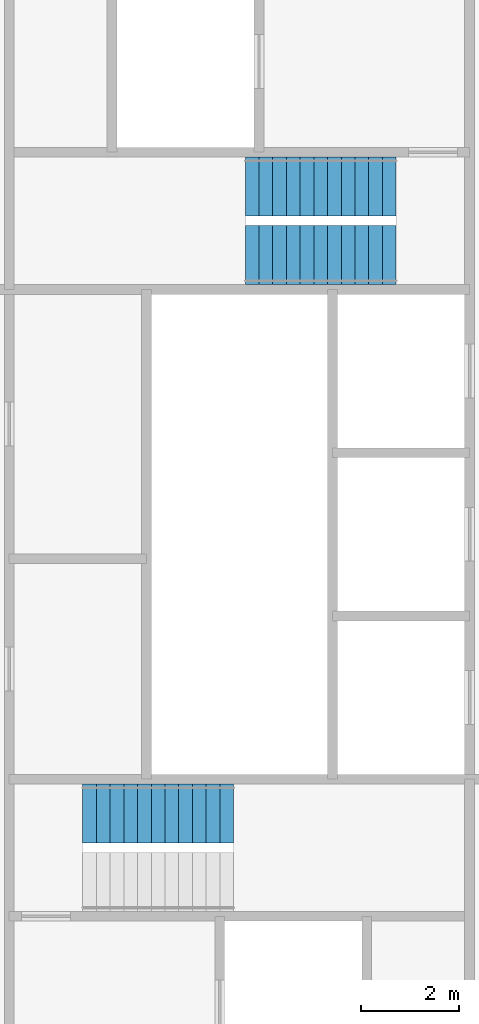
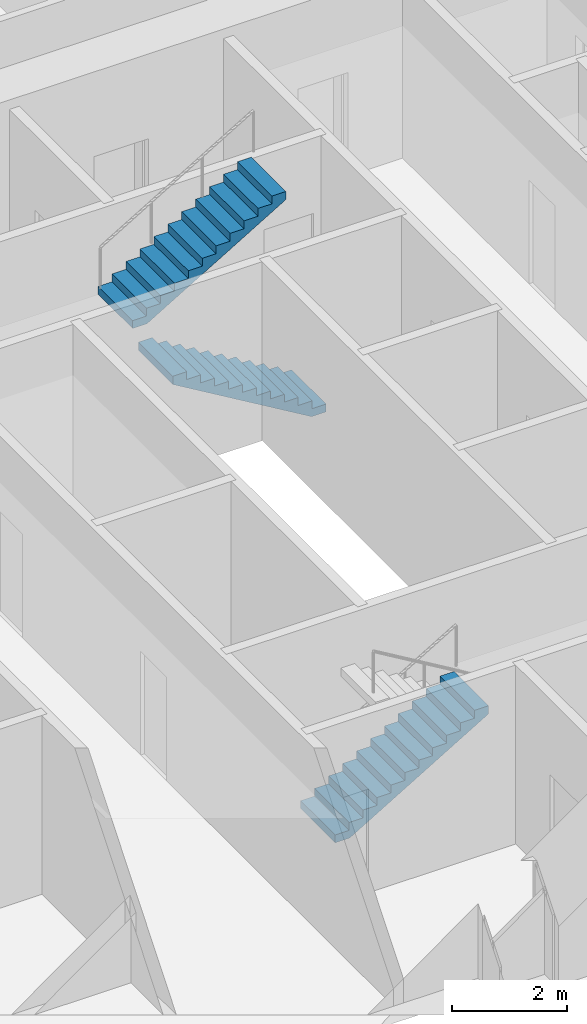
# One storey, part 12 of 14: 3 stair flights, 2 elements without a shape of their own.
"""IFC4 building model written with IfcOpenShell, lengths in metres."""

from ifc_helpers import new_model, si_unit, direction, frame, origin, place, context, subcontext, project, spatial, polyline, outline, extrude, material, type_object, element, aggregate, save


model = new_model("IFC4")

# Units and contexts
model_context = context("Model", 3, precision=1e-05, world=origin(), true_north=direction((0.0, 1.0)))
body_context = subcontext(model_context, "Body", "Model", "MODEL_VIEW")
ifc_project = project(units=[si_unit("LENGTHUNIT", "METRE"), si_unit("AREAUNIT", "SQUARE_METRE"), si_unit("VOLUMEUNIT", "CUBIC_METRE"), si_unit("PLANEANGLEUNIT", "RADIAN"), si_unit("MASSUNIT", "GRAM", prefix="KILO")], contexts=[model_context])

# Site, building, storey
site_placement = place(None, origin())
site = spatial("IfcSite", under=ifc_project, at=site_placement, CompositionType="ELEMENT")
building_placement = place(site_placement, origin())
building = spatial("IfcBuilding", under=site, at=building_placement, Name="Fenwick Lantern Interchange", CompositionType="ELEMENT")
storey_placement = place(building_placement, frame((0.0, 0.0, 205.800048828125)))
storey = spatial("IfcBuildingStorey", under=building, at=storey_placement, Name="L48", CompositionType="ELEMENT", Elevation=205.800048828125)

# Stair, stair flight
ifc_material = material(Name="Precast concrete f'c 35 MPa", Category="concrete")
stair_type = type_object("IfcStairType", Name="EXIT STAIR 1200", PredefinedType="HALF_TURN_STAIR", material=ifc_material)
stair_1_placement = place(storey_placement, origin())
stair_1 = element("IfcStair", 1, at=stair_1_placement, inside=storey, type_object=stair_type, Name="Exit stair ST1", PredefinedType="HALF_TURN_STAIR")
stair_flight_type = type_object("IfcStairFlightType", Name="STAIR FLIGHT 1200", PredefinedType="STRAIGHT", material=ifc_material)
stair_flight_1_placement = place(storey_placement, frame((21.800048828125, 19.300048828125, 0.0), z_axis=(0.0, 0.0, 1.0), x_axis=(1.0, 0.0, 0.0)))
stair_flight_1 = element("IfcStairFlight", 2, at=stair_flight_1_placement, type_object=stair_flight_type, Name="ST1 flight 1", NumberOfRisers=12, NumberOfTreads=11, PredefinedType="STRAIGHT", RiserHeight=0.166666667, TreadLength=0.28, context=body_context, shape_type="SweptSolid", body=[
    extrude(outline(polyline([(0.0, 0.0), (0.0, 0.166748046875), (0.280029296875, 0.166748046875), (0.280029296875, 0.333251953125), (0.56005859375, 0.333251953125), (0.56005859375, 0.5), (0.840087890625, 0.5), (0.840087890625, 0.666748046875), (1.1201171875, 0.666748046875), (1.1201171875, 0.833251953125), (1.39990234375, 0.833251953125), (1.39990234375, 1.0), (1.679931640625, 1.0), (1.679931640625, 1.166748046875), (1.9599609375, 1.166748046875), (1.9599609375, 1.333251953125), (2.239990234375, 1.333251953125), (2.239990234375, 1.5), (2.52001953125, 1.5), (2.52001953125, 1.666748046875), (2.800048828125, 1.666748046875), (2.800048828125, 1.833251953125), (3.080078125, 1.833251953125), (3.080078125, 2.0), (3.080078125, 1.658935546875), (0.29296875, 0.0), (0.0, 0.0)])), frame((0.0, 0.60009765625, 0.0), z_axis=(0.0, -1.0, 0.0), x_axis=(1.0, 0.0, 0.0)), (0.0, 0.0, 1.0), 1.199951171875),
])
aggregate(stair_1, [stair_flight_1])

# Stair, stair flights
stair_2_placement = place(storey_placement, origin())
stair_2 = element("IfcStair", 3, at=stair_2_placement, inside=storey, type_object=stair_type, Name="Exit stair ST2", PredefinedType="HALF_TURN_STAIR")
stair_flight_2_placement = place(storey_placement, frame((28.199951171875, 30.699951171875, 0.0), z_axis=(0.0, 0.0, 1.0), x_axis=(-1.0, 0.0, 0.0)))
stair_flight_2 = element("IfcStairFlight", 4, at=stair_flight_2_placement, type_object=stair_flight_type, Name="ST2 flight 1", NumberOfRisers=12, NumberOfTreads=11, PredefinedType="STRAIGHT", RiserHeight=0.166666667, TreadLength=0.28, context=body_context, shape_type="SweptSolid", body=[
    extrude(outline(polyline([(0.0, 0.0), (0.0, 0.166748046875), (0.280029296875, 0.166748046875), (0.280029296875, 0.333251953125), (0.56005859375, 0.333251953125), (0.56005859375, 0.5), (0.840087890625, 0.5), (0.840087890625, 0.666748046875), (1.1201171875, 0.666748046875), (1.1201171875, 0.833251953125), (1.39990234375, 0.833251953125), (1.39990234375, 1.0), (1.679931640625, 1.0), (1.679931640625, 1.166748046875), (1.9599609375, 1.166748046875), (1.9599609375, 1.333251953125), (2.239990234375, 1.333251953125), (2.239990234375, 1.5), (2.52001953125, 1.5), (2.52001953125, 1.666748046875), (2.800048828125, 1.666748046875), (2.800048828125, 1.833251953125), (3.080078125, 1.833251953125), (3.080078125, 2.0), (3.080078125, 1.658935546875), (0.29296875, 0.0), (0.0, 0.0)])), frame((0.0, 0.60009765625, 0.0), z_axis=(0.0, -1.0, 0.0), x_axis=(1.0, 0.0, 0.0)), (0.0, 0.0, 1.0), 1.199951171875),
])
stair_flight_3_placement = place(storey_placement, frame((25.1201171875, 32.10009765625, 2.0), z_axis=(0.0, 0.0, 1.0), x_axis=(1.0, 0.0, 0.0)))
stair_flight_3 = element("IfcStairFlight", 5, at=stair_flight_3_placement, type_object=stair_flight_type, Name="ST2 flight 2", NumberOfRisers=12, NumberOfTreads=11, PredefinedType="STRAIGHT", RiserHeight=0.166666667, TreadLength=0.28, context=body_context, shape_type="SweptSolid", body=[
    extrude(outline(polyline([(0.0, 0.0), (0.0, 0.166748046875), (0.280029296875, 0.166748046875), (0.280029296875, 0.333251953125), (0.56005859375, 0.333251953125), (0.56005859375, 0.5), (0.840087890625, 0.5), (0.840087890625, 0.666748046875), (1.1201171875, 0.666748046875), (1.1201171875, 0.833251953125), (1.39990234375, 0.833251953125), (1.39990234375, 1.0), (1.679931640625, 1.0), (1.679931640625, 1.166748046875), (1.9599609375, 1.166748046875), (1.9599609375, 1.333251953125), (2.239990234375, 1.333251953125), (2.239990234375, 1.5), (2.52001953125, 1.5), (2.52001953125, 1.666748046875), (2.800048828125, 1.666748046875), (2.800048828125, 1.833251953125), (3.080078125, 1.833251953125), (3.080078125, 2.0), (3.080078125, 1.658935546875), (0.29296875, 0.0), (0.0, 0.0)])), frame((0.0, 0.60009765625, 0.0), z_axis=(0.0, -1.0, 0.0), x_axis=(1.0, 0.0, 0.0)), (0.0, 0.0, 1.0), 1.199951171875),
])
aggregate(stair_2, [stair_flight_2, stair_flight_3])

save(model, "model.ifc")
